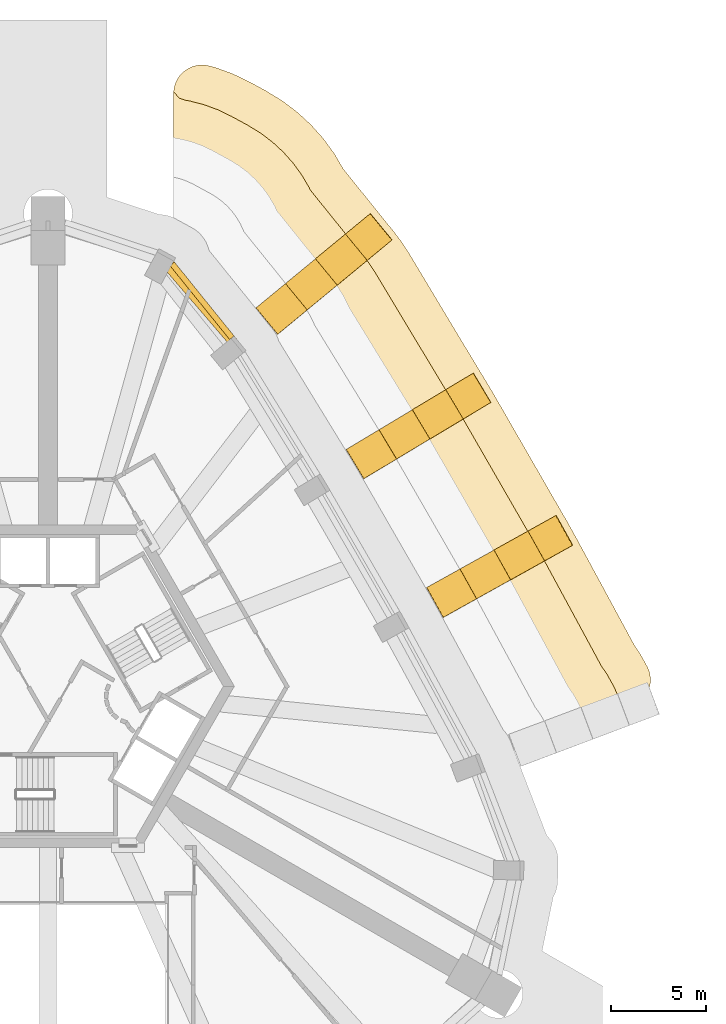
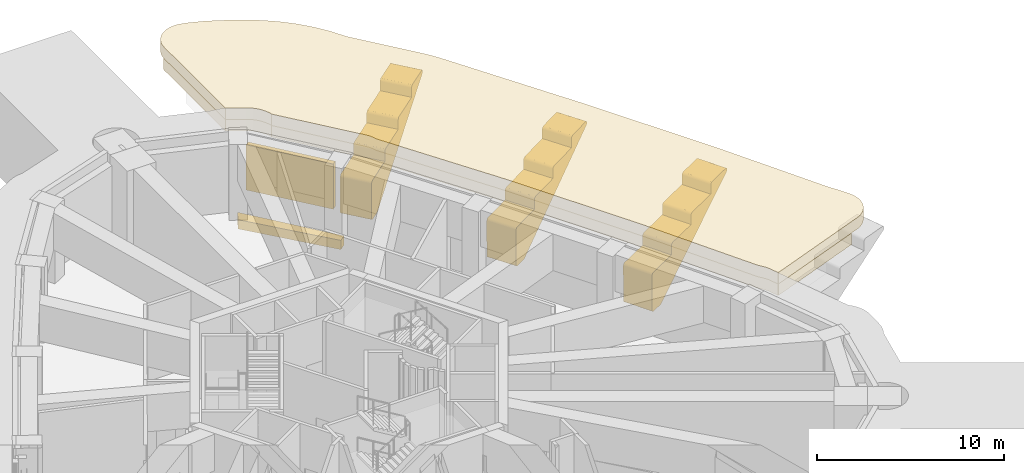
# One storey, part 15 of 15: 6 coverings, 1 shading device.
"""IFC4 building model written with IfcOpenShell, lengths in metres."""

from ifc_helpers import new_model, si_unit, direction, frame, origin, origin_2d, place, context, subcontext, project, spatial, polyline, rectangle, outline, extrude, material, layer, layer_set, type_object, element, save


model = new_model("IFC4")

# Units and contexts
model_context = context("Model", 3, precision=1e-05, world=origin(), true_north=direction((0.0, 1.0)))
body_context = subcontext(model_context, "Body", "Model", "MODEL_VIEW")
ifc_project = project(units=[si_unit("LENGTHUNIT", "METRE"), si_unit("AREAUNIT", "SQUARE_METRE"), si_unit("VOLUMEUNIT", "CUBIC_METRE"), si_unit("PLANEANGLEUNIT", "RADIAN"), si_unit("MASSUNIT", "GRAM", prefix="KILO")], contexts=[model_context])

# Site, building, storey
site_placement = place(None, origin())
site = spatial("IfcSite", under=ifc_project, at=site_placement, CompositionType="ELEMENT")
building_placement = place(site_placement, origin())
building = spatial("IfcBuilding", under=site, at=building_placement, Name="Entoto Arch Interchange Tower", CompositionType="ELEMENT")
storey_placement = place(building_placement, frame((0.0, 0.0, 326.0)))
storey = spatial("IfcBuildingStorey", under=building, at=storey_placement, Name="L77", CompositionType="ELEMENT", Elevation=326.0)

# Shading device
ifc_material_1 = material(Name="Aluminium, anodised", Category="aluminium")
ifc_layer = layer(ifc_material_1, 0.300048828125)
ifc_layer_set = layer_set([ifc_layer], Name="Aluminium, anodised")
shading_device_type = type_object("IfcShadingDeviceType", Name="PLANT LOUVRE ALUMINIUM", PredefinedType="JALOUSIE", material=ifc_layer_set)
shading_device_placement = place(storey_placement, frame((8.115966796875, 22.805908203125, 1.2001953125), z_axis=(0.0, 0.0, 1.0), x_axis=(-0.628221098318, 0.778034865304, 0.0)))
element("IfcShadingDevice", 1, at=shading_device_placement, inside=storey, type_object=shading_device_type, Name="Plant louvre N-01 L77", PredefinedType="JALOUSIE", context=body_context, shape_type="SweptSolid", body=[
    extrude(rectangle(XDim=5.0, YDim=0.300048828125, at=origin_2d()), origin(), (0.0, 0.0, 1.0), 2.949951171875),
])

# Coverings
ifc_material_2 = material(Name="Board-marked precast concrete C50/60", Category="concrete")
covering_type_1 = type_object("IfcCoveringType", Name="PRECAST FRAME COURSE", PredefinedType="CLADDING", material=ifc_material_2)
covering_1_placement = place(storey_placement, frame((0.0, 0.0, 4.199951171875)))
element("IfcCovering", 2, at=covering_1_placement, inside=storey, type_object=covering_type_1, Name="Cantilever cornice ne-L77 1", PredefinedType="CLADDING", context=body_context, shape_type="SweptSolid", body=[
    extrude(outline(polyline([(6.614990234375, 33.73291015625), (6.6220703125, 33.876953125), (6.64306640625, 34.02001953125), (6.677001953125, 34.158935546875), (6.72412109375, 34.294921875), (6.784912109375, 34.426025390625), (6.85693359375, 34.550048828125), (6.94091796875, 34.6669921875), (7.035888671875, 34.77587890625), (7.14111328125, 34.8740234375), (7.2548828125, 34.9619140625), (7.376953125, 35.0390625), (7.506103515625, 35.10400390625), (7.639892578125, 35.156005859375), (7.779052734375, 35.195068359375), (7.919921875, 35.219970703125), (8.06396484375, 35.23193359375), (8.2080078125, 35.22998046875), (8.35107421875, 35.215087890625), (8.491943359375, 35.18505859375), (8.51611328125, 35.178955078125), (8.757080078125, 35.115966796875), (8.89697265625, 35.072021484375), (9.679931640625, 34.784912109375), (9.81494140625, 34.72705078125), (10.44091796875, 34.425048828125), (10.59912109375, 34.347900390625), (10.6650390625, 34.31494140625), (11.47802734375, 33.87109375), (11.5419921875, 33.833984375), (12.284912109375, 33.3798828125), (12.406982421875, 33.298095703125), (13.072021484375, 32.794921875), (13.18505859375, 32.700927734375), (13.798095703125, 32.135009765625), (13.902099609375, 32.030029296875), (14.385009765625, 31.489013671875), (14.4560546875, 31.407958984375), (14.549072265625, 31.29296875), (15.0400390625, 30.618896484375), (15.12109375, 30.49609375), (15.531005859375, 29.798095703125), (15.55908203125, 29.75), (15.593994140625, 29.70703125), (16.952880859375, 28.02001953125), (17.865966796875, 26.885986328125), (17.868896484375, 26.883056640625), (17.87109375, 26.8798828125), (18.135009765625, 26.56005859375), (18.1689453125, 26.51611328125), (18.56689453125, 25.9951171875), (18.631103515625, 25.905029296875), (18.77490234375, 25.68408203125), (18.989013671875, 25.35595703125), (19.01904296875, 25.30908203125), (20.62890625, 22.62890625), (22.85205078125, 18.929931640625), (22.861083984375, 18.9150390625), (22.87109375, 18.89990234375), (22.90087890625, 18.85498046875), (22.93994140625, 18.79296875), (23.431884765625, 17.971923828125), (23.43896484375, 17.9609375), (23.51904296875, 17.822998046875), (23.52587890625, 17.81201171875), (27.1630859375, 11.4970703125), (27.1689453125, 11.486083984375), (27.176025390625, 11.47509765625), (27.258056640625, 11.343994140625), (27.294921875, 11.280029296875), (27.760986328125, 10.44189453125), (27.764892578125, 10.43505859375), (27.76806640625, 10.428955078125), (27.81494140625, 10.343994140625), (27.819091796875, 10.3369140625), (30.90087890625, 4.64501953125), (30.919921875, 4.60888671875), (30.943115234375, 4.575927734375), (31.153076171875, 4.27099609375), (31.23095703125, 4.14599609375), (31.552978515625, 3.56396484375), (31.6201171875, 3.427978515625), (31.672119140625, 3.284912109375), (31.7099609375, 3.138916015625), (31.73291015625, 2.989013671875), (31.740966796875, 2.837890625), (31.73291015625, 2.68603515625), (31.7099609375, 2.535888671875), (31.672119140625, 2.389892578125), (31.6201171875, 2.248046875), (31.553955078125, 2.111083984375), (31.47412109375, 1.98291015625), (31.381103515625, 1.863037109375), (31.277099609375, 1.7529296875), (31.162109375, 1.654052734375), (31.0380859375, 1.56689453125), (30.906005859375, 1.492919921875), (30.76708984375, 1.431884765625), (24.698974609375, -0.840087890625), (24.623046875, -0.863037109375), (24.623046875, -0.864013671875), (24.554931640625, -0.886962890625), (24.556884765625, -0.89306640625), (24.555908203125, -0.89404296875), (24.552978515625, -0.885986328125), (24.3798828125, -0.425048828125), (24.31005859375, -0.262939453125), (24.22509765625, -0.10888671875), (24.1240234375, 0.037109375), (24.010009765625, 0.172119140625), (23.98388671875, 0.197021484375), (20.60595703125, 6.43603515625), (20.595947265625, 6.4541015625), (20.110107421875, 7.327880859375), (20.01708984375, 7.47802734375), (20.008056640625, 7.489013671875), (16.4169921875, 13.72509765625), (16.40087890625, 13.751953125), (15.886962890625, 14.610107421875), (15.81396484375, 14.719970703125), (12.1640625, 20.6708984375), (12.154052734375, 20.70703125), (12.094970703125, 20.8740234375), (12.01904296875, 21.032958984375), (11.927978515625, 21.18408203125), (11.822021484375, 21.325927734375), (11.510986328125, 21.705078125), (8.47509765625, 25.472900390625), (8.448974609375, 25.58203125), (8.39111328125, 25.7490234375), (8.31689453125, 25.909912109375), (8.22705078125, 26.06201171875), (8.123046875, 26.205078125), (8.0048828125, 26.3369140625), (7.8759765625, 26.4560546875), (7.735107421875, 26.56298828125), (7.583984375, 26.655029296875), (6.7060546875, 27.134033203125), (6.614990234375, 27.177978515625), (6.614990234375, 27.214111328125), (6.614990234375, 27.402099609375), (6.614990234375, 33.73291015625)])), origin(), (0.0, 0.0, 1.0), 0.75),
])
covering_2_placement = place(storey_placement, frame((0.0, 0.0, 3.449951171875)))
element("IfcCovering", 3, at=covering_2_placement, inside=storey, type_object=covering_type_1, Name="Cantilever cornice ne-L77 2", PredefinedType="CLADDING", context=body_context, shape_type="SweptSolid", body=[
    extrude(outline(polyline([(6.614990234375, 33.73291015625), (6.618896484375, 33.81591796875), (6.925048828125, 33.47802734375), (7.2490234375, 33.37109375), (7.4609375, 33.3369140625), (8.216064453125, 33.14111328125), (8.947998046875, 32.8720703125), (9.65087890625, 32.532958984375), (10.529052734375, 32.053955078125), (11.195068359375, 31.64697265625), (11.81689453125, 31.177001953125), (12.39111328125, 30.64794921875), (12.909912109375, 30.06591796875), (13.368896484375, 29.43505859375), (13.764892578125, 28.762939453125), (13.822021484375, 28.638916015625), (16.279052734375, 25.587890625), (16.570068359375, 25.235107421875), (16.926025390625, 24.76904296875), (17.2470703125, 24.277099609375), (21.10205078125, 17.861083984375), (21.1630859375, 17.77099609375), (21.677001953125, 16.9130859375), (21.74609375, 16.794921875), (25.3740234375, 10.4951171875), (25.485107421875, 10.31591796875), (25.970947265625, 9.44189453125), (26.013916015625, 9.364013671875), (29.158935546875, 3.555908203125), (29.452880859375, 3.1298828125), (29.8310546875, 2.447998046875), (30.139892578125, 1.73095703125), (30.302001953125, 1.299072265625), (30.31494140625, 1.262939453125), (24.698974609375, -0.840087890625), (24.623046875, -0.863037109375), (24.623046875, -0.864013671875), (24.554931640625, -0.886962890625), (24.556884765625, -0.89306640625), (24.555908203125, -0.89404296875), (24.552978515625, -0.885986328125), (24.3798828125, -0.425048828125), (24.31005859375, -0.262939453125), (24.22509765625, -0.10888671875), (24.1240234375, 0.037109375), (24.010009765625, 0.172119140625), (23.98388671875, 0.197021484375), (20.60595703125, 6.43603515625), (20.595947265625, 6.4541015625), (20.110107421875, 7.327880859375), (20.01708984375, 7.47802734375), (20.008056640625, 7.489013671875), (16.4169921875, 13.72509765625), (16.40087890625, 13.751953125), (15.886962890625, 14.610107421875), (15.81396484375, 14.719970703125), (12.1640625, 20.6708984375), (12.154052734375, 20.70703125), (12.094970703125, 20.8740234375), (12.01904296875, 21.032958984375), (11.927978515625, 21.18408203125), (11.822021484375, 21.325927734375), (11.510986328125, 21.705078125), (8.47509765625, 25.472900390625), (8.448974609375, 25.58203125), (8.39111328125, 25.7490234375), (8.31689453125, 25.909912109375), (8.22705078125, 26.06201171875), (8.123046875, 26.205078125), (8.0048828125, 26.3369140625), (7.8759765625, 26.4560546875), (7.735107421875, 26.56298828125), (7.583984375, 26.655029296875), (6.7060546875, 27.134033203125), (6.614990234375, 27.177978515625), (6.614990234375, 27.214111328125), (6.614990234375, 27.402099609375), (6.614990234375, 33.73291015625)])), origin(), (0.0, 0.0, 1.0), 0.75),
])
covering_3_placement = place(storey_placement, frame((21.64111328125, 6.576904296875, -0.574951171875), z_axis=(0.485858568991, -0.874031907702, 0.003110507645), x_axis=(-0.788025988244, -0.439583358916, -0.431023795649)))
element("IfcCovering", 4, at=covering_3_placement, inside=storey, type_object=covering_type_1, Name="Fold rib NE02 L77", PredefinedType="CLADDING", context=body_context, shape_type="SweptSolid", body=[
    extrude(outline(polyline([(0.0, 0.0), (0.04417566333113703, -6.938893903907228e-18), (0.0858562765967266, -0.013145876275466605), (0.7394853853191571, -0.3264476300473612), (0.7732143428442071, -0.35365404679193035), (0.7975609614530276, -0.3909851239559657), (0.8098653544704688, -0.4333900178212948), (0.8104665742344084, -0.4769686469197029), (0.7969604331704833, -0.5192174018313802), (-0.17244788442348358, -2.5496853209962413), (-0.19748693062220635, -2.586424665148644), (-0.21973846646399897, -2.6058297286417256), (-0.24455879462507735, -2.6204897688955615), (-0.2866026993717773, -2.633686411903138), (-0.3306932937016135, -2.6337281917942708), (-0.37246106570562953, -2.6202697102753194), (-2.059482246998174, -1.8144225518423154), (-2.3254162333536184, -2.3689456583091224), (-2.3433739875287407, -2.3925656105903226), (-2.3776489413277817, -2.4194819189558627), (-2.417595990808195, -2.4369263628313798), (-2.4618311585814965, -2.4412313581069895), (-2.4912370944955073, -2.4361132321019627), (-2.519010359085323, -2.426091950134135), (-4.232841749254639, -1.6074371123417184), (-4.498775735610083, -2.1619602188085256), (-4.516733489785205, -2.1855801710897254), (-4.54993917764183, -2.213008550947592), (-4.591384773688601, -2.2297388086396754), (-4.635190660837962, -2.2342459186063923), (-4.664596596751972, -2.229127792601366), (-4.691600304712643, -2.219475744889178), (-6.406201251511103, -1.4004516728411218), (-6.671365681237403, -1.9553440135635687), (-6.68921611525654, -1.979014494517545), (-6.723298679898296, -2.0060231114469955), (-6.764744275945065, -2.022753369139079), (-6.80844284293844, -2.0273110077785725), (-6.8369941532220055, -2.022603895920319), (-6.864959806969107, -2.0124903053885808), (-8.128722567487847, -1.408823006133812), (-8.165439279386598, -1.384790283995268), (-8.184827184280868, -1.3620006624234096), (-8.205511273620072, -1.323439548350322), (-8.212288144399608, -1.2947697343594928), (-8.21356784281222, -1.2652095385028734), (-8.209637539748423, -1.2362410756578868), (-8.199083513786352, -1.2090851875860942), (-8.184171778384378, -1.182929279200775), (-8.163575034905364, -1.1616519171142308), (-8.14031053789958, -1.1440868055303026), (-8.113321067750482, -1.1315429584521688), (-8.084928698838057, -1.1250840966791977), (0.0, 0.0)])), origin(), (0.0, 0.0, -1.0), 1.800048828125),
])
covering_4_placement = place(storey_placement, frame((17.44091796875, 13.908935546875, -0.574951171875), z_axis=(0.513864159085, -0.857866102707, 0.00306199846), x_axis=(-0.771706215852, -0.463807325688, -0.435146275467)))
element("IfcCovering", 5, at=covering_4_placement, inside=storey, type_object=covering_type_1, Name="Fold rib NE03 L77", PredefinedType="CLADDING", context=body_context, shape_type="SweptSolid", body=[
    extrude(outline(polyline([(0.0, 0.0), (0.043759954637777376, 3.469446951953614e-18), (0.08550902302035575, -0.013396073803197621), (0.7377085389476199, -0.32969390055149084), (0.7714278216536453, -0.35710713172957165), (0.7956022392254968, -0.39455280987148694), (0.8073848402254445, -0.43685380416506425), (0.8074642607636912, -0.4802764231885239), (0.7942221483380479, -0.5226865689604807), (-0.18512532962059547, -2.5483772830238944), (-0.20967651500901918, -2.58532029951213), (-0.2319110284961633, -2.6046723766537307), (-0.2567980477947698, -2.61921701336049), (-0.29945813556421863, -2.6319523870854065), (-0.34367102704348773, -2.6317363293591587), (-0.38504932653877, -2.618245016411608), (-2.0685589632714327, -1.804596013561603), (-2.3370755468915623, -2.357873163194264), (-2.3549578775389297, -2.3814990627240884), (-2.3889198666376994, -2.4084706585399913), (-2.4294996604359635, -2.4254651939089342), (-2.4742057858608675, -2.4293481389066285), (-2.5028180319604796, -2.424466258786372), (-2.5303306890686805, -2.414423779623567), (-4.241171462288173, -1.587566561823473), (-4.509047660767257, -2.141155632001876), (-4.527005162042106, -2.164744062218937), (-4.560439043671902, -2.191969185073851), (-4.602300564290558, -2.208344258426478), (-4.645800133522552, -2.212809196127724), (-4.674790145836174, -2.2077487275939847), (-4.702377973571856, -2.197668779118415), (-6.4128790441602295, -1.370973604613007), (-6.6813956277803594, -1.9242507542456684), (-6.6993531290552095, -1.9478391844627279), (-6.7332399475264975, -1.9748482495913957), (-6.774008146162616, -1.991751301216012), (-6.817847418025727, -1.9960541956225724), (-6.846384493497858, -1.991209784815081), (-6.874537535747104, -1.9808553851065325), (-8.135417024381573, -1.3714668043461602), (-8.17282733902665, -1.3468799379466514), (-8.191868304431141, -1.3241195033229265), (-8.206714199357073, -1.2993173409565157), (-8.218610034567394, -1.2569623322313768), (-8.219645082961195, -1.227447220164307), (-8.216129356291097, -1.1982352571434673), (-8.205447342679998, -1.17112956743596), (-8.189967093604116, -1.1452565383113154), (-8.169607510757782, -1.1239152376890758), (-8.14537783509274, -1.1068802260175117), (-8.11888041715696, -1.0942002388094703), (-8.090850004732737, -1.0876790373563696), (0.0, 0.0)])), origin(), (0.0, 0.0, -1.0), 1.800048828125),
])
covering_5_placement = place(storey_placement, frame((12.7958984375, 21.610107421875, -0.574951171875), z_axis=(0.635697899604, -0.771932752362, 0.00282953523), x_axis=(-0.692786885081, -0.572129257641, -0.438992533433)))
element("IfcCovering", 6, at=covering_5_placement, inside=storey, type_object=covering_type_1, Name="Fold rib NE04 L77", PredefinedType="CLADDING", context=body_context, shape_type="SweptSolid", body=[
    extrude(outline(polyline([(0.0, 0.0), (0.04338152615350782, -3.469446951953614e-18), (0.08442841288384297, -0.013263280783970582), (0.6992611179789701, -0.31475308560559234), (0.7339327945241574, -0.3428321927133444), (0.7573979383259981, -0.3801101770585783), (0.7693335650678818, -0.42262683112184046), (0.7686705720807732, -0.46577722965906715), (0.75499653638887, -0.5080064921454011), (-0.23197837784060904, -2.5299931904252912), (-0.2570568077055746, -2.566649318565046), (-0.2796517209321743, -2.585772796948629), (-0.30433871118944855, -2.600339621454709), (-0.3474623946826232, -2.612690831139891), (-0.3910130582592466, -2.612607703314088), (-0.43301890132561127, -2.598605070370927), (-2.112473062800084, -1.778037375930658), (-2.383566623781204, -2.3300564247260382), (-2.4014013159246916, -2.3536797623356067), (-2.435880301727608, -2.3803079632932684), (-2.476466457432394, -2.3971627255118593), (-2.5203569859275703, -2.4012600855280657), (-2.5494524786829613, -2.396011045871369), (-2.5769738269896783, -2.3858229980017662), (-4.283780665789408, -1.5518937483713355), (-4.554874226770528, -2.103912797166716), (-4.572569238919474, -2.1276037876978044), (-4.606879087299275, -2.1543151164812686), (-4.647465243004061, -2.1711698786998603), (-4.6920323211917, -2.174934727412854), (-4.720451264254628, -2.1700181990593697), (-4.748141749984461, -2.1597470233639635), (-6.454779451361074, -1.325900901559336), (-6.725873012342194, -1.8779199503547161), (-6.743737161914256, -1.9015278130600022), (-6.778186690288598, -1.9281714889219463), (-6.819309715691304, -1.9447613927588456), (-6.863339924181023, -1.9487910998535307), (-6.891060467271243, -1.9442128361076483), (-6.919140535556126, -1.9337541765519646), (-8.176119035539102, -1.3196047350218443), (-8.212303885161838, -1.29540547758831), (-8.23126850759354, -1.2725529302778327), (-8.25248858412156, -1.2333820141433924), (-8.25834048131414, -1.2049797890084273), (-8.25965200262373, -1.175264680211166), (-8.255132533875887, -1.1464942173227022), (-8.244560116099318, -1.1182394079515312), (-8.228519413604623, -1.0937423356665876), (-8.208613428337237, -1.0722181469226886), (-8.184473437881845, -1.0552102156359142), (-8.157237199659898, -1.0429764485686297), (-8.129504802903234, -1.0364191952197306), (0.0, 0.0)])), origin(), (0.0, 0.0, -1.0), 1.800048828125),
])
covering_type_2 = type_object("IfcCoveringType", Name="PRECAST LEDGE COURSE", PredefinedType="CLADDING", material=ifc_material_2)
covering_6_placement = place(storey_placement, frame((0.0, 0.0, -1.199951171875)))
element("IfcCovering", 7, at=covering_6_placement, inside=storey, type_object=covering_type_2, Name="Precast course N-01 L77", PredefinedType="CLADDING", context=body_context, shape_type="SweptSolid", body=[
    extrude(outline(polyline([(5.947998046875, 24.700927734375), (6.282958984375, 25.31396484375), (10.114990234375, 20.568115234375), (9.75390625, 20.27197265625), (5.947998046875, 24.700927734375)])), origin(), (0.0, 0.0, 1.0), 0.599853515625),
])

save(model, "model.ifc")
